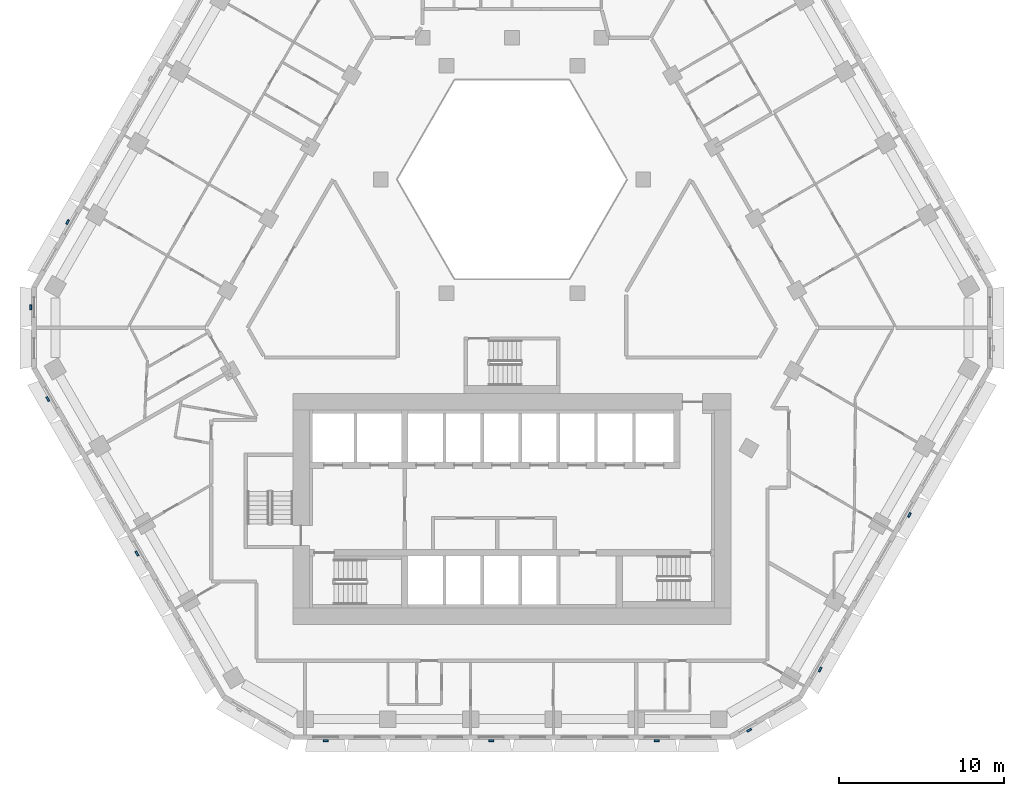
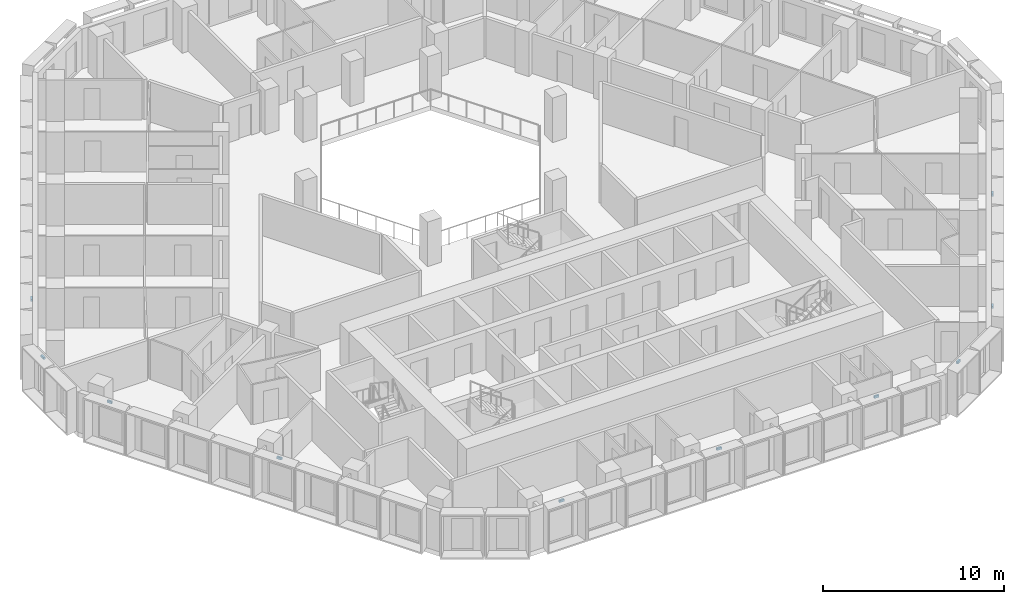
# One storey, part 11 of 18: 10 discrete accessories.
"""IFC4 building model written with IfcOpenShell, lengths in metres."""

from ifc_helpers import new_model, si_unit, direction, frame, origin, place, context, subcontext, project, spatial, polyline, outline, extrude, source, transform, mapped, material, type_object, type_shapes, element, save


model = new_model("IFC4")

# Units and contexts
model_context = context("Model", 3, precision=1e-05, world=origin(), true_north=direction((0.0, 1.0)))
body_context = subcontext(model_context, "Body", "Model", "MODEL_VIEW")
ifc_project = project(units=[si_unit("LENGTHUNIT", "METRE"), si_unit("AREAUNIT", "SQUARE_METRE"), si_unit("VOLUMEUNIT", "CUBIC_METRE"), si_unit("PLANEANGLEUNIT", "RADIAN"), si_unit("MASSUNIT", "GRAM", prefix="KILO")], contexts=[model_context])

# Site, building, storey
site_placement = place(None, origin())
site = spatial("IfcSite", under=ifc_project, at=site_placement, CompositionType="ELEMENT")
building_placement = place(site_placement, origin())
building = spatial("IfcBuilding", under=site, at=building_placement, Name="Beryl Residences", CompositionType="ELEMENT")
storey_placement = place(building_placement, frame((0.0, 0.0, 99.0)))
storey = spatial("IfcBuildingStorey", under=building, at=storey_placement, Name="L30", CompositionType="ELEMENT", Elevation=99.0)

# Discrete accessories
ifc_material = material(Name="Steel S355", Category="steel")
discrete_accessory_type = type_object("IfcDiscreteAccessoryType", Name="BR1 frame bracket 300 x 120 x 150 mm", PredefinedType="BRACKET", material=ifc_material)
shared_shape = source(origin(), body_context, "Body", "SweptSolid", [
    extrude(outline(polyline([(-0.14990234375, 0.0), (0.14990234375, 0.0), (0.14990234375, 0.1201171875), (-0.14990234375, 0.1201171875), (-0.14990234375, 0.0)])), origin(), (0.0, 0.0, 1.0), 0.14990234375),
])
type_shapes(discrete_accessory_type, [shared_shape])
for number, where, z_axis, x_axis, name in (
    (1, (-26.912109375, 5.387939453125, 2.75), (0.0, 0.0, 1.0), (0.5, 0.866025403784, 0.0), "BR1 bracket L30 NW 9"),
    (2, (-29.156982421875, 0.25, 2.75), (0.0, 0.0, 1.0), (0.0, 1.0, 0.0), "BR1 bracket L30 NW-SW 1"),
    (3, (-28.118896484375, -5.2958984375, 2.75), (0.0, 0.0, 1.0), (-0.5, 0.866025403784, 0.0), "BR1 bracket L30 SW 1"),
    (4, (-22.7060546875, -14.672119140625, 2.75), (0.0, 0.0, 1.0), (-0.5, 0.866025403784, 0.0), "BR1 bracket L30 SW 5"),
    (5, (-11.301025390625, -26.0, 2.75), (0.0, 0.0, 1.0), (-1.0, 0.0, 0.0), "BR1 bracket L30 S 1"),
    (6, (-1.2548828125, -26.0, 2.75), (0.0, 0.0, 1.0), (-1.0, 0.0, 0.0), "BR1 bracket L30 S 5"),
    (7, (8.791015625, -26.0, 2.75), (0.0, 0.0, 1.0), (-1.0, 0.0, 0.0), "BR1 bracket L30 S 9"),
    (8, (14.361083984375, -25.375, 2.75), (0.0, 0.0, 1.0), (-0.866025403784, -0.5, 0.0), "BR1 bracket L30 S-SE 1"),
    (9, (18.64697265625, -21.7041015625, 2.75), (0.0, 0.0, 1.0), (-0.5, -0.866025403784, 0.0), "BR1 bracket L30 SE 1"),
    (10, (24.06005859375, -12.327880859375, 2.75), (0.0, 0.0, 1.0), (-0.5, -0.866025403784, 0.0), "BR1 bracket L30 SE 5"),
):
    element("IfcDiscreteAccessory", number, at=place(storey_placement, frame(where, z_axis=z_axis, x_axis=x_axis)), inside=storey, type_object=discrete_accessory_type, Name=name, PredefinedType="BRACKET", context=body_context, shape_type="MappedRepresentation", body=[
        mapped(shared_shape, transform((0.0, 0.0, 0.0))),
    ])

save(model, "model.ifc")
